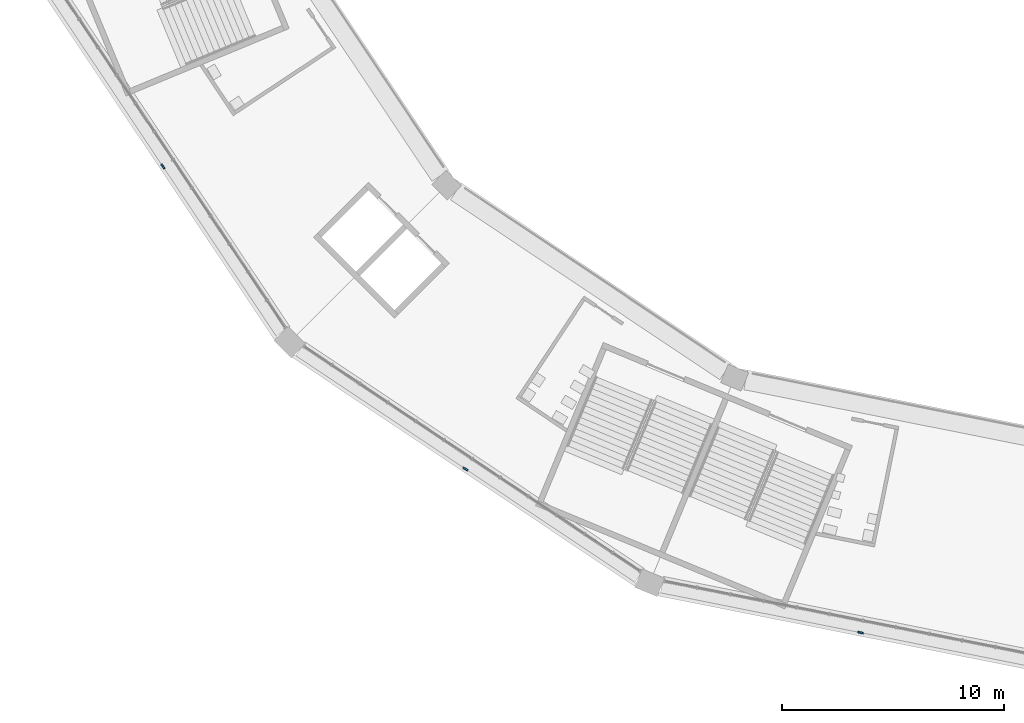
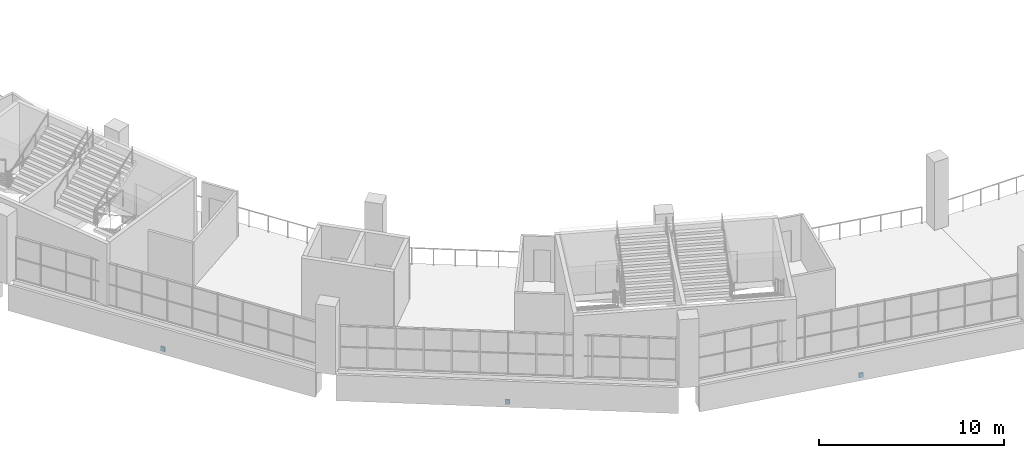
# One storey, part 69 of 177: 3 discrete accessories.
"""IFC4 building model written with IfcOpenShell, lengths in metres."""

from ifc_helpers import new_model, si_unit, direction, frame, origin, origin_2d, place, context, subcontext, project, spatial, rectangle, extrude, material, layer, layer_set, type_object, element, save


model = new_model("IFC4")

# Units and contexts
model_context = context("Model", 3, precision=1e-05, world=origin(), true_north=direction((0.0, 1.0)))
body_context = subcontext(model_context, "Body", "Model", "MODEL_VIEW")
ifc_project = project(units=[si_unit("LENGTHUNIT", "METRE"), si_unit("AREAUNIT", "SQUARE_METRE"), si_unit("VOLUMEUNIT", "CUBIC_METRE"), si_unit("PLANEANGLEUNIT", "RADIAN"), si_unit("MASSUNIT", "GRAM", prefix="KILO")], contexts=[model_context])

# Site, building, storey
site_placement = place(None, origin())
site = spatial("IfcSite", under=ifc_project, at=site_placement, CompositionType="ELEMENT")
building_placement = place(site_placement, origin())
building = spatial("IfcBuilding", under=site, at=building_placement, Name="Ogive Plaza Stadium", CompositionType="ELEMENT")
storey_placement = place(building_placement, frame((0.0, 0.0, 18.0)))
storey = spatial("IfcBuildingStorey", under=building, at=storey_placement, Name="L04", CompositionType="ELEMENT", Elevation=18.0)

# Discrete accessories
ifc_material = material(Name="Steel ASTM A572 Grade 50", Category="steel")
ifc_layer = layer(ifc_material, 0.080078125)
ifc_layer_set = layer_set([ifc_layer], Name="Steel ASTM A572 Grade 50")
discrete_accessory_type = type_object("IfcDiscreteAccessoryType", Name="Spandrel cladding bracket 250x300", PredefinedType="BRACKET", material=ifc_layer_set)
for number, where, z_axis, x_axis, name in (
    (1, (-43.635498046875, -100.940185546875, -1.60986328125), (0.0, 0.0, 1.0), (-0.980785280413, 0.195090321965, 0.0), "SPANDREL BRACKET B17 L04"),
    (2, (-61.439208984375, -93.565673828125, -1.60986328125), (0.0, 0.0, 1.0), (-0.831469612312, 0.555570233005, 0.0), "SPANDREL BRACKET B18 L04"),
    (3, (-75.065673828125, -79.939208984375, -1.60986328125), (0.0, 0.0, 1.0), (-0.555570233005, 0.831469612312, 0.0), "SPANDREL BRACKET B19 L04"),
):
    element("IfcDiscreteAccessory", number, at=place(storey_placement, frame(where, z_axis=z_axis, x_axis=x_axis)), inside=storey, type_object=discrete_accessory_type, Name=name, PredefinedType="BRACKET", context=body_context, shape_type="SweptSolid", body=[
        extrude(rectangle(XDim=0.25, YDim=0.080078125, at=origin_2d()), origin(), (0.0, 0.0, 1.0), 0.300048828125),
    ])

save(model, "model.ifc")
